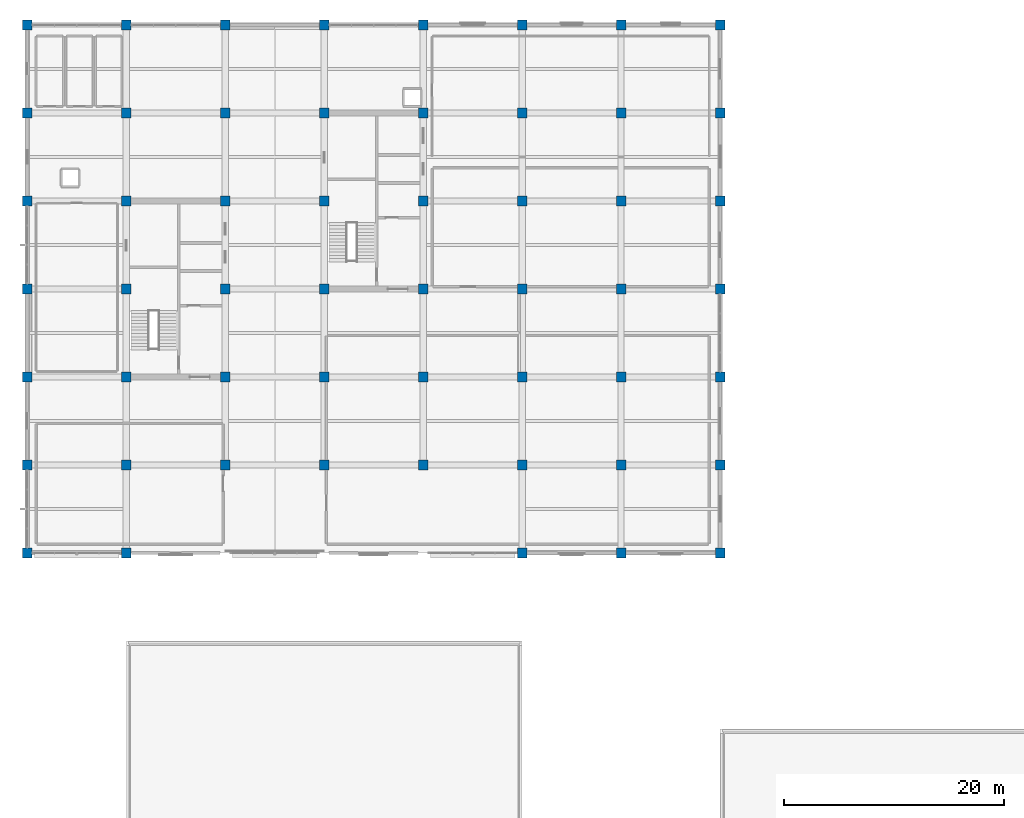
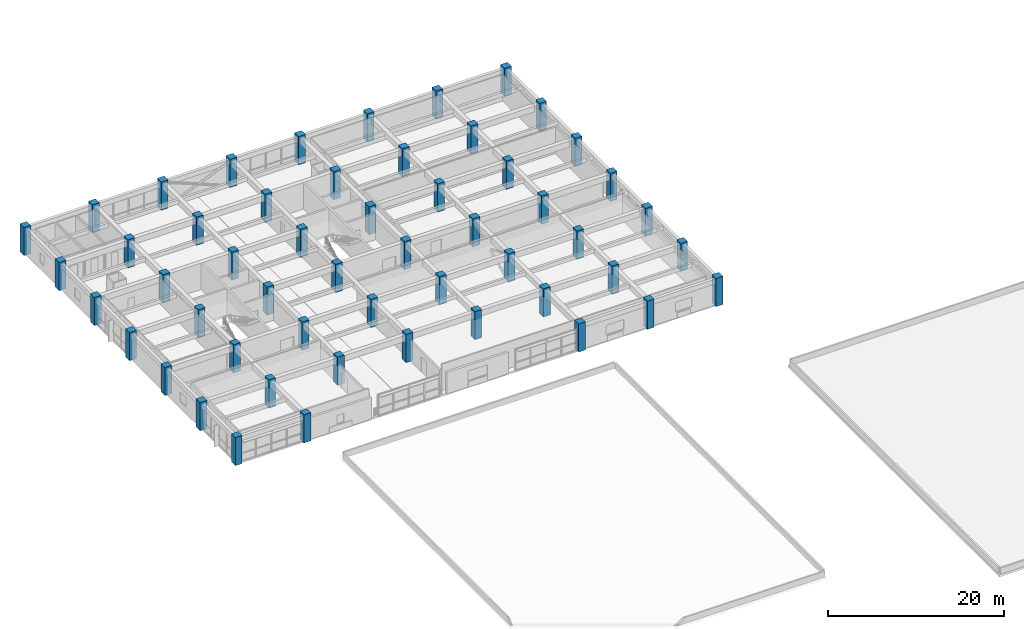
# One storey, part 1 of 23: 53 columns.
"""IFC4 building model written with IfcOpenShell, lengths in metres."""

from ifc_helpers import new_model, si_unit, direction, frame, origin, origin_2d, place, context, subcontext, project, spatial, rectangle, extrude, material, material_profile, profile_set, type_object, element, save


model = new_model("IFC4")

# Units and contexts
model_context = context("Model", 3, precision=1e-05, world=origin(), true_north=direction((0.0, 1.0)))
body_context = subcontext(model_context, "Body", "Model", "MODEL_VIEW")
ifc_project = project(units=[si_unit("LENGTHUNIT", "METRE"), si_unit("AREAUNIT", "SQUARE_METRE"), si_unit("VOLUMEUNIT", "CUBIC_METRE"), si_unit("PLANEANGLEUNIT", "RADIAN"), si_unit("MASSUNIT", "GRAM", prefix="KILO")], contexts=[model_context])

# Site, building, storey
site_placement = place(None, origin())
site = spatial("IfcSite", under=ifc_project, at=site_placement, CompositionType="ELEMENT")
building_placement = place(site_placement, origin())
building = spatial("IfcBuilding", under=site, at=building_placement, Name="Zaverband Oceanarium and Marine Research Institute", CompositionType="ELEMENT")
storey_placement = place(building_placement, frame((0.0, 0.0, 21.89990234375)))
storey = spatial("IfcBuildingStorey", under=building, at=storey_placement, Name="L05", CompositionType="ELEMENT", Elevation=21.89990234375)

# Columns
ifc_material = material(Name="Concrete C50/60", Category="concrete")
ifc_material_profile = material_profile(ifc_material, rectangle(XDim=0.89990234375, YDim=0.89990234375, at=origin_2d()), Name="RC900x900")
ifc_profile_set = profile_set([ifc_material_profile], Name="Concrete C50/60")
column_type = type_object("IfcColumnType", Name="COL-C900", PredefinedType="COLUMN", material=ifc_profile_set)
for number, where, z_axis, x_axis, name in (
    (1, (9.0, 64.0, 0.0), (0.0, 0.0, 1.0), (1.0, 0.0, 0.0), "Reinforced concrete column RC900x900 COL-C900"),
    (2, (9.0, 72.0, 0.0), (0.0, 0.0, 1.0), (1.0, 0.0, 0.0), "Reinforced concrete column RC900x900 COL-C900"),
    (3, (9.0, 80.0, 0.0), (0.0, 0.0, 1.0), (1.0, 0.0, 0.0), "Reinforced concrete column RC900x900 COL-C900"),
    (4, (9.0, 88.0, 0.0), (0.0, 0.0, 1.0), (1.0, 0.0, 0.0), "Reinforced concrete column RC900x900 COL-C900"),
    (5, (9.0, 96.0, 0.0), (0.0, 0.0, 1.0), (1.0, 0.0, 0.0), "Reinforced concrete column RC900x900 COL-C900"),
    (6, (9.0, 104.0, 0.0), (0.0, 0.0, 1.0), (1.0, 0.0, 0.0), "Reinforced concrete column RC900x900 COL-C900"),
    (7, (9.0, 112.0, 0.0), (0.0, 0.0, 1.0), (1.0, 0.0, 0.0), "Reinforced concrete column RC900x900 COL-C900"),
    (8, (18.0, 64.0, 0.0), (0.0, 0.0, 1.0), (1.0, 0.0, 0.0), "Reinforced concrete column RC900x900 COL-C900"),
    (9, (18.0, 72.0, 0.0), (0.0, 0.0, 1.0), (1.0, 0.0, 0.0), "Reinforced concrete column RC900x900 COL-C900"),
    (10, (18.0, 80.0, 0.0), (0.0, 0.0, 1.0), (1.0, 0.0, 0.0), "Reinforced concrete column RC900x900 COL-C900"),
    (11, (18.0, 88.0, 0.0), (0.0, 0.0, 1.0), (1.0, 0.0, 0.0), "Reinforced concrete column RC900x900 COL-C900"),
    (12, (18.0, 96.0, 0.0), (0.0, 0.0, 1.0), (1.0, 0.0, 0.0), "Reinforced concrete column RC900x900 COL-C900"),
    (13, (18.0, 104.0, 0.0), (0.0, 0.0, 1.0), (1.0, 0.0, 0.0), "Reinforced concrete column RC900x900 COL-C900"),
    (14, (18.0, 112.0, 0.0), (0.0, 0.0, 1.0), (1.0, 0.0, 0.0), "Reinforced concrete column RC900x900 COL-C900"),
    (15, (27.0, 72.0, 0.0), (0.0, 0.0, 1.0), (1.0, 0.0, 0.0), "Reinforced concrete column RC900x900 COL-C900"),
    (16, (27.0, 80.0, 0.0), (0.0, 0.0, 1.0), (1.0, 0.0, 0.0), "Reinforced concrete column RC900x900 COL-C900"),
    (17, (27.0, 88.0, 0.0), (0.0, 0.0, 1.0), (1.0, 0.0, 0.0), "Reinforced concrete column RC900x900 COL-C900"),
    (18, (27.0, 96.0, 0.0), (0.0, 0.0, 1.0), (1.0, 0.0, 0.0), "Reinforced concrete column RC900x900 COL-C900"),
    (19, (27.0, 104.0, 0.0), (0.0, 0.0, 1.0), (1.0, 0.0, 0.0), "Reinforced concrete column RC900x900 COL-C900"),
    (20, (27.0, 112.0, 0.0), (0.0, 0.0, 1.0), (1.0, 0.0, 0.0), "Reinforced concrete column RC900x900 COL-C900"),
    (21, (36.0, 72.0, 0.0), (0.0, 0.0, 1.0), (1.0, 0.0, 0.0), "Reinforced concrete column RC900x900 COL-C900"),
    (22, (36.0, 80.0, 0.0), (0.0, 0.0, 1.0), (1.0, 0.0, 0.0), "Reinforced concrete column RC900x900 COL-C900"),
    (23, (36.0, 88.0, 0.0), (0.0, 0.0, 1.0), (1.0, 0.0, 0.0), "Reinforced concrete column RC900x900 COL-C900"),
    (24, (36.0, 96.0, 0.0), (0.0, 0.0, 1.0), (1.0, 0.0, 0.0), "Reinforced concrete column RC900x900 COL-C900"),
    (25, (36.0, 104.0, 0.0), (0.0, 0.0, 1.0), (1.0, 0.0, 0.0), "Reinforced concrete column RC900x900 COL-C900"),
    (26, (36.0, 112.0, 0.0), (0.0, 0.0, 1.0), (1.0, 0.0, 0.0), "Reinforced concrete column RC900x900 COL-C900"),
    (27, (45.0, 72.0, 0.0), (0.0, 0.0, 1.0), (1.0, 0.0, 0.0), "Reinforced concrete column RC900x900 COL-C900"),
    (28, (45.0, 80.0, 0.0), (0.0, 0.0, 1.0), (1.0, 0.0, 0.0), "Reinforced concrete column RC900x900 COL-C900"),
    (29, (45.0, 88.0, 0.0), (0.0, 0.0, 1.0), (1.0, 0.0, 0.0), "Reinforced concrete column RC900x900 COL-C900"),
    (30, (45.0, 96.0, 0.0), (0.0, 0.0, 1.0), (1.0, 0.0, 0.0), "Reinforced concrete column RC900x900 COL-C900"),
    (31, (45.0, 104.0, 0.0), (0.0, 0.0, 1.0), (1.0, 0.0, 0.0), "Reinforced concrete column RC900x900 COL-C900"),
    (32, (45.0, 112.0, 0.0), (0.0, 0.0, 1.0), (1.0, 0.0, 0.0), "Reinforced concrete column RC900x900 COL-C900"),
    (33, (54.0, 64.0, 0.0), (0.0, 0.0, 1.0), (1.0, 0.0, 0.0), "Reinforced concrete column RC900x900 COL-C900"),
    (34, (54.0, 72.0, 0.0), (0.0, 0.0, 1.0), (1.0, 0.0, 0.0), "Reinforced concrete column RC900x900 COL-C900"),
    (35, (54.0, 80.0, 0.0), (0.0, 0.0, 1.0), (1.0, 0.0, 0.0), "Reinforced concrete column RC900x900 COL-C900"),
    (36, (54.0, 88.0, 0.0), (0.0, 0.0, 1.0), (1.0, 0.0, 0.0), "Reinforced concrete column RC900x900 COL-C900"),
    (37, (54.0, 96.0, 0.0), (0.0, 0.0, 1.0), (1.0, 0.0, 0.0), "Reinforced concrete column RC900x900 COL-C900"),
    (38, (54.0, 104.0, 0.0), (0.0, 0.0, 1.0), (1.0, 0.0, 0.0), "Reinforced concrete column RC900x900 COL-C900"),
    (39, (54.0, 112.0, 0.0), (0.0, 0.0, 1.0), (1.0, 0.0, 0.0), "Reinforced concrete column RC900x900 COL-C900"),
    (40, (63.0, 64.0, 0.0), (0.0, 0.0, 1.0), (1.0, 0.0, 0.0), "Reinforced concrete column RC900x900 COL-C900"),
    (41, (63.0, 72.0, 0.0), (0.0, 0.0, 1.0), (1.0, 0.0, 0.0), "Reinforced concrete column RC900x900 COL-C900"),
    (42, (63.0, 80.0, 0.0), (0.0, 0.0, 1.0), (1.0, 0.0, 0.0), "Reinforced concrete column RC900x900 COL-C900"),
    (43, (63.0, 88.0, 0.0), (0.0, 0.0, 1.0), (1.0, 0.0, 0.0), "Reinforced concrete column RC900x900 COL-C900"),
    (44, (63.0, 96.0, 0.0), (0.0, 0.0, 1.0), (1.0, 0.0, 0.0), "Reinforced concrete column RC900x900 COL-C900"),
    (45, (63.0, 104.0, 0.0), (0.0, 0.0, 1.0), (1.0, 0.0, 0.0), "Reinforced concrete column RC900x900 COL-C900"),
    (46, (63.0, 112.0, 0.0), (0.0, 0.0, 1.0), (1.0, 0.0, 0.0), "Reinforced concrete column RC900x900 COL-C900"),
    (47, (72.0, 64.0, 0.0), (0.0, 0.0, 1.0), (1.0, 0.0, 0.0), "Reinforced concrete column RC900x900 COL-C900"),
    (48, (72.0, 72.0, 0.0), (0.0, 0.0, 1.0), (1.0, 0.0, 0.0), "Reinforced concrete column RC900x900 COL-C900"),
    (49, (72.0, 80.0, 0.0), (0.0, 0.0, 1.0), (1.0, 0.0, 0.0), "Reinforced concrete column RC900x900 COL-C900"),
    (50, (72.0, 88.0, 0.0), (0.0, 0.0, 1.0), (1.0, 0.0, 0.0), "Reinforced concrete column RC900x900 COL-C900"),
    (51, (72.0, 96.0, 0.0), (0.0, 0.0, 1.0), (1.0, 0.0, 0.0), "Reinforced concrete column RC900x900 COL-C900"),
    (52, (72.0, 104.0, 0.0), (0.0, 0.0, 1.0), (1.0, 0.0, 0.0), "Reinforced concrete column RC900x900 COL-C900"),
    (53, (72.0, 112.0, 0.0), (0.0, 0.0, 1.0), (1.0, 0.0, 0.0), "Reinforced concrete column RC900x900 COL-C900"),
):
    element("IfcColumn", number, at=place(storey_placement, frame(where, z_axis=z_axis, x_axis=x_axis)), inside=storey, type_object=column_type, Name=name, PredefinedType="COLUMN", context=body_context, shape_type="SweptSolid", body=[
        extrude(rectangle(XDim=0.89990234375, YDim=0.89990234375, at=origin_2d()), origin(), (0.0, 0.0, 1.0), 3.900146484375),
    ])

save(model, "model.ifc")
